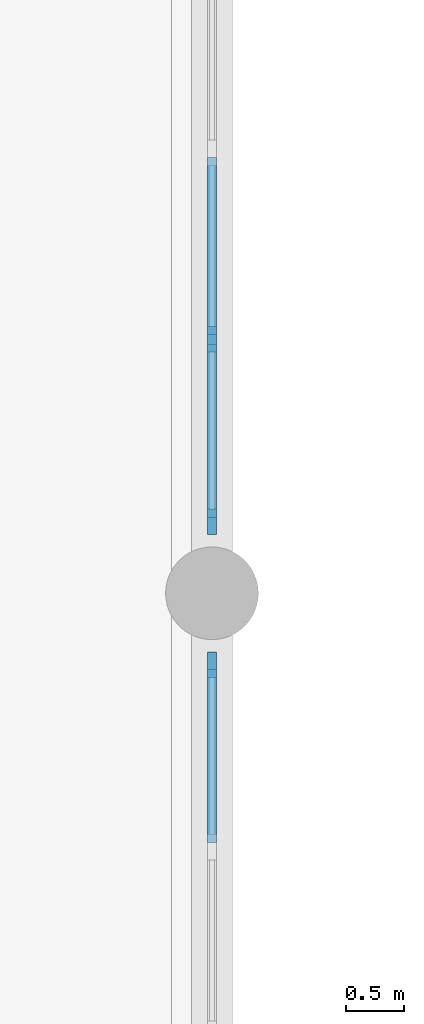
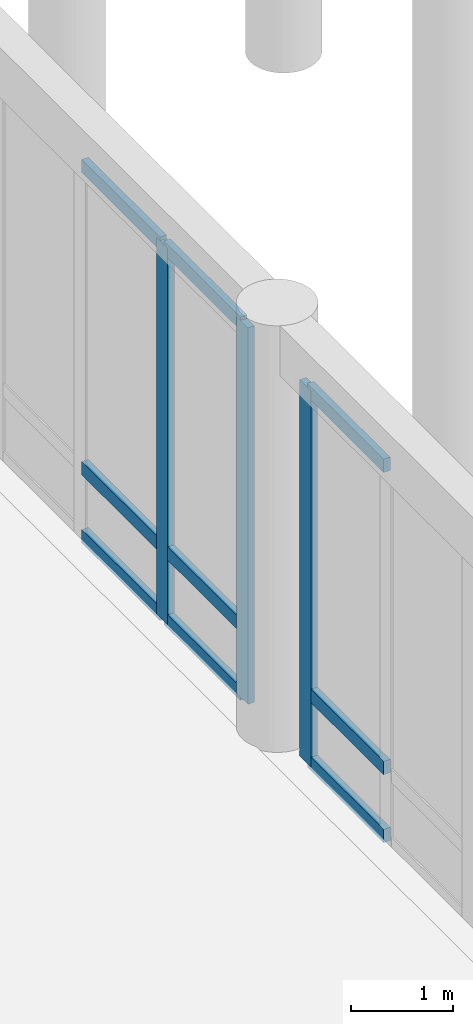
# One storey, part 17 of 64: 12 members, 2 elements without a shape of their own.
"""IFC4 building model written with IfcOpenShell, lengths in metres."""

from ifc_helpers import new_model, si_unit, direction, frame, origin, origin_2d, place, context, subcontext, project, spatial, rectangle, extrude, material, material_profile, profile_set, type_object, element, aggregate, save


model = new_model("IFC4")

# Units and contexts
model_context = context("Model", 3, precision=1e-05, world=origin(), true_north=direction((0.0, 1.0)))
body_context = subcontext(model_context, "Body", "Model", "MODEL_VIEW")
ifc_project = project(units=[si_unit("LENGTHUNIT", "METRE"), si_unit("AREAUNIT", "SQUARE_METRE"), si_unit("VOLUMEUNIT", "CUBIC_METRE"), si_unit("PLANEANGLEUNIT", "RADIAN"), si_unit("MASSUNIT", "GRAM", prefix="KILO")], contexts=[model_context])

# Site, building, storey
site_placement = place(None, origin())
site = spatial("IfcSite", under=ifc_project, at=site_placement, CompositionType="ELEMENT")
building_placement = place(site_placement, origin())
building = spatial("IfcBuilding", under=site, at=building_placement, Name="Qandaris Square Conservatory and Botanical Centre", CompositionType="ELEMENT")
storey_placement = place(building_placement, origin())
storey = spatial("IfcBuildingStorey", under=building, at=storey_placement, Name="L00", CompositionType="ELEMENT", Elevation=0.0)

# Curtain wall, member
ifc_material = material(Name="Anodised Aluminium", Category="aluminium")
curtain_wall_type = type_object("IfcCurtainWallType", Name="Unitised Curtain Wall CW-1-644x450", PredefinedType="USERDEFINED", material=ifc_material)
curtain_wall_1_placement = place(storey_placement, origin())
curtain_wall_1 = element("IfcCurtainWall", 1, at=curtain_wall_1_placement, inside=storey, type_object=curtain_wall_type, Name="Curtain Wall CW-CON-L00-3-2", ObjectType="GLAZED CURTAIN WALL", PredefinedType="USERDEFINED")
ifc_material_profile_1 = material_profile(ifc_material, rectangle(XDim=0.074951171875, YDim=0.219970703125, at=origin_2d()), Name="ALU-MUL 75x220")
ifc_profile_set_1 = profile_set([ifc_material_profile_1], Name="Anodised Aluminium")
member_type_1 = type_object("IfcMemberType", Name="Conservatory Heavy Mullion 75x220", PredefinedType="MULLION", material=ifc_profile_set_1)
member_1_placement = place(storey_placement, frame((57.199951171875, 69.1826171875, 0.0), z_axis=(0.0, 0.0, 1.0), x_axis=(-1.0, 0.0, 0.0)))
member_1 = element("IfcMember", 2, at=member_1_placement, type_object=member_type_1, Name="CW-1-644x450 mullion 5", PredefinedType="MULLION", context=body_context, shape_type="SweptSolid", body=[
    extrude(rectangle(XDim=0.074951171875, YDim=0.219970703125, at=origin_2d()), origin(), (0.0, 0.0, 1.0), 4.5),
])

# Curtain wall, members
curtain_wall_2_placement = place(storey_placement, origin())
curtain_wall_2 = element("IfcCurtainWall", 3, at=curtain_wall_2_placement, inside=storey, type_object=curtain_wall_type, Name="Curtain Wall CW-CON-L00-3-3", ObjectType="GLAZED CURTAIN WALL", PredefinedType="USERDEFINED")
member_2_placement = place(storey_placement, frame((57.199951171875, 70.41748046875, 0.0), z_axis=(0.0, 0.0, 1.0), x_axis=(-1.0, 0.0, 0.0)))
member_2 = element("IfcMember", 4, at=member_2_placement, type_object=member_type_1, Name="CW-1-644x450 mullion 1", PredefinedType="MULLION", context=body_context, shape_type="SweptSolid", body=[
    extrude(rectangle(XDim=0.074951171875, YDim=0.219970703125, at=origin_2d()), origin(), (0.0, 0.0, 1.0), 4.5),
])
member_3_placement = place(storey_placement, frame((57.199951171875, 71.989990234375, 0.0), z_axis=(0.0, 0.0, 1.0), x_axis=(-1.0, 0.0, 0.0)))
member_3 = element("IfcMember", 5, at=member_3_placement, type_object=member_type_1, Name="CW-1-644x450 mullion 2", PredefinedType="MULLION", context=body_context, shape_type="SweptSolid", body=[
    extrude(rectangle(XDim=0.074951171875, YDim=0.219970703125, at=origin_2d()), origin(), (0.0, 0.0, 1.0), 4.5),
])

# Member
ifc_material_profile_2 = material_profile(ifc_material, rectangle(XDim=0.074951171875, YDim=0.159912109375, at=origin_2d()), Name="ALU-TRN 75x160")
ifc_profile_set_2 = profile_set([ifc_material_profile_2], Name="Anodised Aluminium")
member_type_2 = type_object("IfcMemberType", Name="Conservatory Heavy Transom 75x160", PredefinedType="USERDEFINED", material=ifc_profile_set_2)
member_4_placement = place(storey_placement, frame((57.199951171875, 67.6474609375, 0.03759765625), z_axis=(0.0, 1.0, 0.0), x_axis=(-1.0, 0.0, 0.0)))
member_4 = element("IfcMember", 6, at=member_4_placement, type_object=member_type_2, Name="CW-1-644x450 transom 4.1", ObjectType="TRANSOM", PredefinedType="USERDEFINED", context=body_context, shape_type="SweptSolid", body=[
    extrude(rectangle(XDim=0.074951171875, YDim=0.159912109375, at=origin_2d()), origin(), (0.0, 0.0, 1.0), 1.49755859375),
])

member_5_placement = place(storey_placement, frame((57.199951171875, 67.6474609375, 0.85009765625), z_axis=(0.0, 1.0, 0.0), x_axis=(-1.0, 0.0, 0.0)))
member_5 = element("IfcMember", 7, at=member_5_placement, type_object=member_type_2, Name="CW-1-644x450 transom 4.2", ObjectType="TRANSOM", PredefinedType="USERDEFINED", context=body_context, shape_type="SweptSolid", body=[
    extrude(rectangle(XDim=0.074951171875, YDim=0.159912109375, at=origin_2d()), origin(), (0.0, 0.0, 1.0), 1.49755859375),
])

member_6_placement = place(storey_placement, frame((57.199951171875, 67.6474609375, 4.46240234375), z_axis=(0.0, 1.0, 0.0), x_axis=(-1.0, 0.0, 0.0)))
member_6 = element("IfcMember", 8, at=member_6_placement, type_object=member_type_2, Name="CW-1-644x450 transom 4.3", ObjectType="TRANSOM", PredefinedType="USERDEFINED", context=body_context, shape_type="SweptSolid", body=[
    extrude(rectangle(XDim=0.074951171875, YDim=0.159912109375, at=origin_2d()), origin(), (0.0, 0.0, 1.0), 1.49755859375),
])

aggregate(curtain_wall_1, [member_1, member_4, member_5, member_6])

member_7_placement = place(storey_placement, frame((57.199951171875, 70.455078125, 0.03759765625), z_axis=(0.0, 1.0, 0.0), x_axis=(-1.0, 0.0, 0.0)))
member_7 = element("IfcMember", 9, at=member_7_placement, type_object=member_type_2, Name="CW-1-644x450 transom 1.1", ObjectType="TRANSOM", PredefinedType="USERDEFINED", context=body_context, shape_type="SweptSolid", body=[
    extrude(rectangle(XDim=0.074951171875, YDim=0.159912109375, at=origin_2d()), origin(), (0.0, 0.0, 1.0), 1.497314453125),
])

member_8_placement = place(storey_placement, frame((57.199951171875, 70.455078125, 0.85009765625), z_axis=(0.0, 1.0, 0.0), x_axis=(-1.0, 0.0, 0.0)))
member_8 = element("IfcMember", 10, at=member_8_placement, type_object=member_type_2, Name="CW-1-644x450 transom 1.2", ObjectType="TRANSOM", PredefinedType="USERDEFINED", context=body_context, shape_type="SweptSolid", body=[
    extrude(rectangle(XDim=0.074951171875, YDim=0.159912109375, at=origin_2d()), origin(), (0.0, 0.0, 1.0), 1.497314453125),
])

member_9_placement = place(storey_placement, frame((57.199951171875, 70.455078125, 4.46240234375), z_axis=(0.0, 1.0, 0.0), x_axis=(-1.0, 0.0, 0.0)))
member_9 = element("IfcMember", 11, at=member_9_placement, type_object=member_type_2, Name="CW-1-644x450 transom 1.3", ObjectType="TRANSOM", PredefinedType="USERDEFINED", context=body_context, shape_type="SweptSolid", body=[
    extrude(rectangle(XDim=0.074951171875, YDim=0.159912109375, at=origin_2d()), origin(), (0.0, 0.0, 1.0), 1.497314453125),
])

member_10_placement = place(storey_placement, frame((57.199951171875, 72.027587890625, 0.03759765625), z_axis=(0.0, 1.0, 0.0), x_axis=(-1.0, 0.0, 0.0)))
member_10 = element("IfcMember", 12, at=member_10_placement, type_object=member_type_2, Name="CW-1-644x450 transom 2.1", ObjectType="TRANSOM", PredefinedType="USERDEFINED", context=body_context, shape_type="SweptSolid", body=[
    extrude(rectangle(XDim=0.074951171875, YDim=0.159912109375, at=origin_2d()), origin(), (0.0, 0.0, 1.0), 1.534912109375),
])

member_11_placement = place(storey_placement, frame((57.199951171875, 72.027587890625, 0.85009765625), z_axis=(0.0, 1.0, 0.0), x_axis=(-1.0, 0.0, 0.0)))
member_11 = element("IfcMember", 13, at=member_11_placement, type_object=member_type_2, Name="CW-1-644x450 transom 2.2", ObjectType="TRANSOM", PredefinedType="USERDEFINED", context=body_context, shape_type="SweptSolid", body=[
    extrude(rectangle(XDim=0.074951171875, YDim=0.159912109375, at=origin_2d()), origin(), (0.0, 0.0, 1.0), 1.534912109375),
])

member_12_placement = place(storey_placement, frame((57.199951171875, 72.027587890625, 4.46240234375), z_axis=(0.0, 1.0, 0.0), x_axis=(-1.0, 0.0, 0.0)))
member_12 = element("IfcMember", 14, at=member_12_placement, type_object=member_type_2, Name="CW-1-644x450 transom 2.3", ObjectType="TRANSOM", PredefinedType="USERDEFINED", context=body_context, shape_type="SweptSolid", body=[
    extrude(rectangle(XDim=0.074951171875, YDim=0.159912109375, at=origin_2d()), origin(), (0.0, 0.0, 1.0), 1.534912109375),
])

aggregate(curtain_wall_2, [member_2, member_3, member_7, member_8, member_9, member_10, member_11, member_12])

save(model, "model.ifc")
